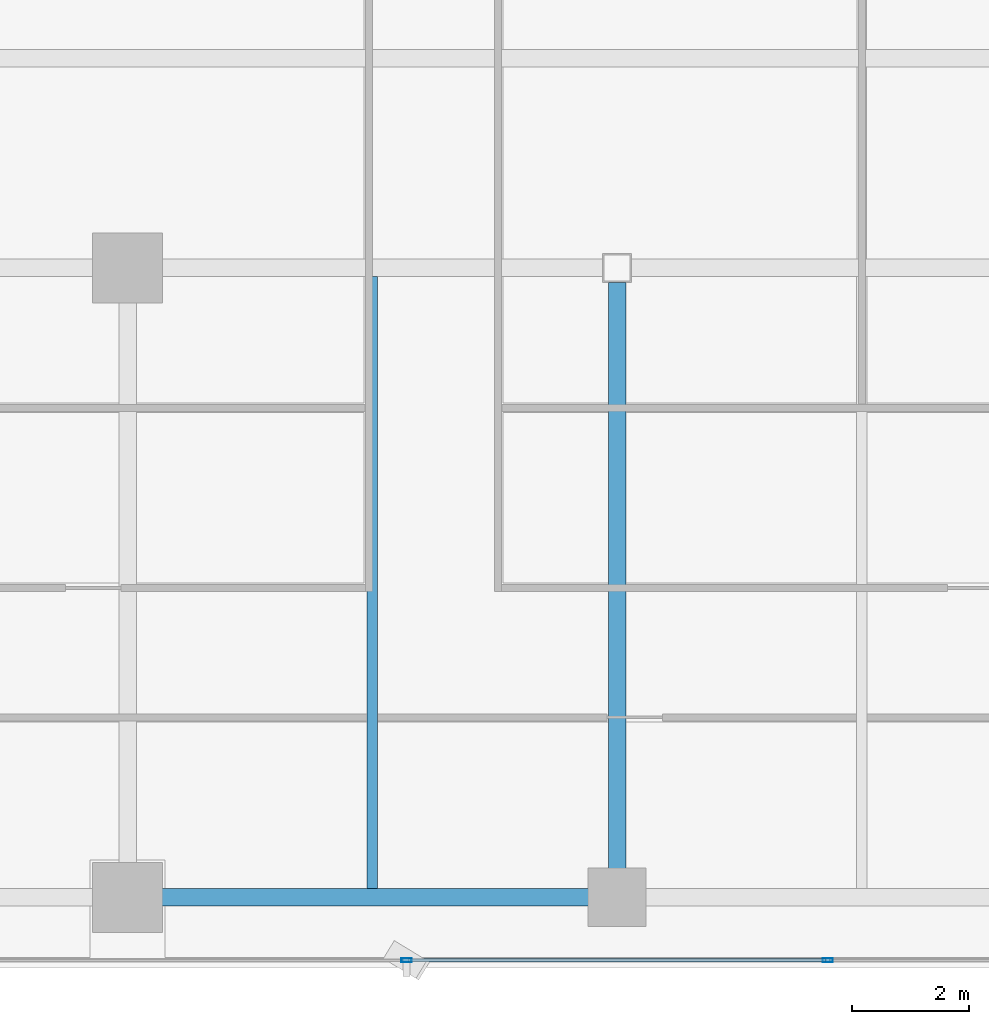
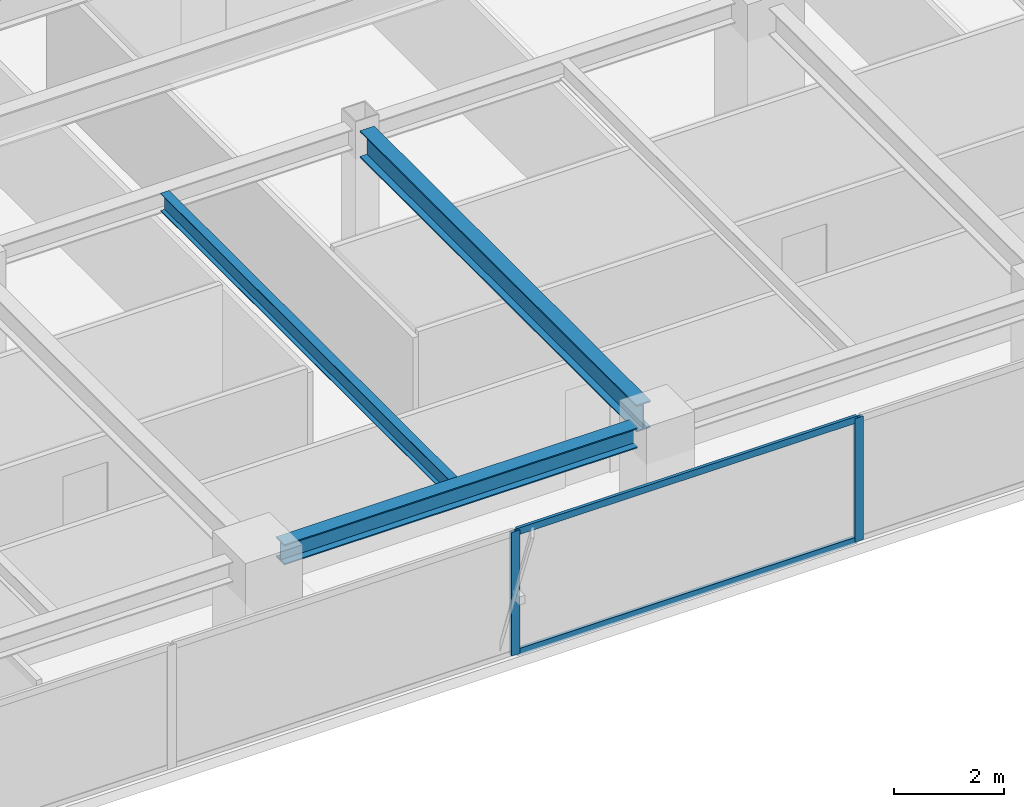
# One storey, part 5 of 23: 4 members, 3 beams, 1 element without a shape of its own.
"""IFC4 building model written with IfcOpenShell, lengths in metres."""

from ifc_helpers import new_model, si_unit, direction, frame, origin, origin_2d, place, context, subcontext, project, spatial, hollow_rectangle, i_section, extrude, source, transform, mapped, material, layer, layer_set, material_profile, profile_set, type_object, element, aggregate, save


model = new_model("IFC4")

# Units and contexts
model_context = context("Model", 3, precision=1e-05, world=origin(), true_north=direction((0.0, 1.0)))
body_context = subcontext(model_context, "Body", "Model", "MODEL_VIEW")
ifc_project = project(units=[si_unit("LENGTHUNIT", "METRE"), si_unit("AREAUNIT", "SQUARE_METRE"), si_unit("VOLUMEUNIT", "CUBIC_METRE"), si_unit("PLANEANGLEUNIT", "RADIAN"), si_unit("MASSUNIT", "GRAM", prefix="KILO")], contexts=[model_context])

# Site, building, storey
site_placement = place(None, origin())
site = spatial("IfcSite", under=ifc_project, at=site_placement, CompositionType="ELEMENT")
building_placement = place(site_placement, origin())
building = spatial("IfcBuilding", under=site, at=building_placement, Name="Sumidabori Civic Tower", CompositionType="ELEMENT")
storey_placement = place(building_placement, frame((0.0, 0.0, 275.60009765625)))
storey = spatial("IfcBuildingStorey", under=building, at=storey_placement, Name="L72", CompositionType="ELEMENT", Elevation=275.60009765625)

# Beams
ifc_material_1 = material(Name="Steel SN490", Category="steel")
ifc_material_profile_1 = material_profile(ifc_material_1, i_section(OverallWidth=0.300048828125, OverallDepth=0.449951171875, WebThickness=0.013916015625, FlangeThickness=0.02587890625, at=origin_2d()), Name="HE 450 B")
ifc_profile_set_1 = profile_set([ifc_material_profile_1], Name="Steel SN490")
beam_type_1 = type_object("IfcBeamType", Name="BM-GIRD-450", PredefinedType="BEAM", material=ifc_profile_set_1)
shared_shape_1 = source(origin(), body_context, "Body", "SweptSolid", [
    extrude(i_section(OverallWidth=0.300048828125, OverallDepth=0.449951171875, WebThickness=0.013916015625, FlangeThickness=0.02587890625, at=origin_2d()), origin(), (0.0, 0.0, 1.0), 7.43994140625),
])
beam_1_placement = place(storey_placement, frame((-7.919921875, -10.800048828125, 3.14501953125), z_axis=(1.0, 0.0, 0.0), x_axis=(0.0, 1.0, 0.0)))
element("IfcBeam", 1, at=beam_1_placement, inside=storey, type_object=beam_type_1, Name="Primary Girder L72 GX-02", PredefinedType="BEAM", context=body_context, shape_type="MappedRepresentation", body=[
    mapped(shared_shape_1, transform((0.0, 0.0, 0.0), x_axis=(1.0, 0.0, 0.0), y_axis=(0.0, 1.0, 0.0), z_axis=(0.0, 0.0, 1.0), scale=1.0)),
])
ifc_material_profile_2 = material_profile(ifc_material_1, i_section(OverallWidth=0.300048828125, OverallDepth=0.60009765625, WebThickness=0.015380859375, FlangeThickness=0.030029296875, at=origin_2d()), Name="HE 600 B")
ifc_profile_set_2 = profile_set([ifc_material_profile_2], Name="Steel SN490")
beam_type_2 = type_object("IfcBeamType", Name="BM-GIRD-600", PredefinedType="BEAM", material=ifc_profile_set_2)
shared_shape_2 = source(origin(), body_context, "Body", "SweptSolid", [
    extrude(i_section(OverallWidth=0.300048828125, OverallDepth=0.60009765625, WebThickness=0.015380859375, FlangeThickness=0.030029296875, at=origin_2d()), origin(), (0.0, 0.0, 1.0), 10.070068359375),
])
beam_2_placement = place(storey_placement, frame((0.0, -10.320068359375, 3.06982421875), z_axis=(0.0, 1.0, 0.0), x_axis=(-1.0, 0.0, 0.0)))
element("IfcBeam", 2, at=beam_2_placement, inside=storey, type_object=beam_type_2, Name="Primary Girder L72 GY-13", PredefinedType="BEAM", context=body_context, shape_type="MappedRepresentation", body=[
    mapped(shared_shape_2, transform((0.0, 0.0, 0.0), x_axis=(1.0, 0.0, 0.0), y_axis=(0.0, 1.0, 0.0), z_axis=(0.0, 0.0, 1.0), scale=1.0)),
])
ifc_material_profile_3 = material_profile(ifc_material_1, i_section(OverallWidth=0.179931640625, OverallDepth=0.39990234375, WebThickness=0.008544921875, FlangeThickness=0.013427734375, at=origin_2d()), Name="IPE 400")
ifc_profile_set_3 = profile_set([ifc_material_profile_3], Name="Steel SN490")
beam_type_3 = type_object("IfcBeamType", Name="BM-JST-400", PredefinedType="JOIST", material=ifc_profile_set_3)
shared_shape_3 = source(origin(), body_context, "Body", "SweptSolid", [
    extrude(i_section(OverallWidth=0.179931640625, OverallDepth=0.39990234375, WebThickness=0.008544921875, FlangeThickness=0.013427734375, at=origin_2d()), origin(), (0.0, 0.0, 1.0), 10.5),
])
beam_3_placement = place(storey_placement, frame((-4.199951171875, -10.64990234375, 3.169921875), z_axis=(0.0, 1.0, 0.0), x_axis=(-1.0, 0.0, 0.0)))
element("IfcBeam", 3, at=beam_3_placement, inside=storey, type_object=beam_type_3, Name="Upper Lens N-S Floor Joist L72 JSTV-25", PredefinedType="JOIST", context=body_context, shape_type="MappedRepresentation", body=[
    mapped(shared_shape_3, transform((0.0, 0.0, 0.0), x_axis=(1.0, 0.0, 0.0), y_axis=(0.0, 1.0, 0.0), z_axis=(0.0, 0.0, 1.0), scale=1.0)),
])

# Curtain wall, members
ifc_material_2 = material(Name="Anodised Bronze Aluminium AW-6063-T6", Category="aluminium")
ifc_layer = layer(ifc_material_2, 0.179931640625, Name="Anodised Bronze Aluminium AW-6063-T6")
ifc_layer_set = layer_set([ifc_layer], Name="Anodised Bronze Aluminium AW-6063-T6")
curtain_wall_type = type_object("IfcCurtainWallType", Name="CW-SYS-6", PredefinedType="NOTDEFINED", material=ifc_layer_set)
curtain_wall_placement = place(storey_placement, origin())
curtain_wall = element("IfcCurtainWall", 4, at=curtain_wall_placement, inside=storey, type_object=curtain_wall_type, Name="Curtain Wall CW:L72:R01", PredefinedType="NOTDEFINED")
ifc_material_profile_4 = material_profile(ifc_material_2, hollow_rectangle(XDim=0.070068359375, YDim=0.179931640625, WallThickness=0.006103515625, at=origin_2d()), Name="ALU MULLION 180x70")
ifc_profile_set_4 = profile_set([ifc_material_profile_4], Name="Anodised Bronze Aluminium AW-6063-T6")
member_type_1 = type_object("IfcMemberType", Name="CW-MUL-180", PredefinedType="MULLION", material=ifc_profile_set_4)
shared_shape_4 = source(origin(), body_context, "Body", "SweptSolid", [
    extrude(hollow_rectangle(XDim=0.070068359375, YDim=0.179931640625, WallThickness=0.006103515625, at=origin_2d()), origin(), (0.0, 0.0, 1.0), 2.75),
])
member_1_placement = place(storey_placement, frame((-3.614013671875, -11.8798828125, 0.0), z_axis=(0.0, 0.0, 1.0), x_axis=(0.0, 1.0, 0.0)))
member_1 = element("IfcMember", 5, at=member_1_placement, type_object=member_type_1, Name="CW-6 mullion 3", PredefinedType="MULLION", context=body_context, shape_type="MappedRepresentation", body=[
    mapped(shared_shape_4, transform((0.0, 0.0, 0.0), x_axis=(1.0, 0.0, 0.0), y_axis=(0.0, 1.0, 0.0), z_axis=(0.0, 0.0, 1.0), scale=1.0)),
])
member_2_placement = place(storey_placement, frame((3.614013671875, -11.8798828125, 0.0), z_axis=(0.0, 0.0, 1.0), x_axis=(0.0, 1.0, 0.0)))
member_2 = element("IfcMember", 6, at=member_2_placement, type_object=member_type_1, Name="CW-6 mullion 4", PredefinedType="MULLION", context=body_context, shape_type="MappedRepresentation", body=[
    mapped(shared_shape_4, transform((0.0, 0.0, 0.0), x_axis=(1.0, 0.0, 0.0), y_axis=(0.0, 1.0, 0.0), z_axis=(0.0, 0.0, 1.0), scale=1.0)),
])
ifc_material_profile_5 = material_profile(ifc_material_2, hollow_rectangle(XDim=0.06494140625, YDim=0.14990234375, WallThickness=0.0048828125, at=origin_2d()), Name="ALU TRANSOM 150x65")
ifc_profile_set_5 = profile_set([ifc_material_profile_5], Name="Anodised Bronze Aluminium AW-6063-T6")
member_type_2 = type_object("IfcMemberType", Name="CW-TRN-150", PredefinedType="USERDEFINED", material=ifc_profile_set_5)
shared_shape_5 = source(origin(), body_context, "Body", "SweptSolid", [
    extrude(hollow_rectangle(XDim=0.06494140625, YDim=0.14990234375, WallThickness=0.0048828125, at=origin_2d()), origin(), (0.0, 0.0, 1.0), 7.158203125),
])
member_3_placement = place(storey_placement, frame((-3.5791015625, -11.8798828125, 0.032470703125), z_axis=(1.0, 0.0, 0.0), x_axis=(0.0, 1.0, 0.0)))
member_3 = element("IfcMember", 7, at=member_3_placement, type_object=member_type_2, Name="CW-6 transom 3.1", ObjectType="TRANSOM", PredefinedType="USERDEFINED", context=body_context, shape_type="MappedRepresentation", body=[
    mapped(shared_shape_5, transform((0.0, 0.0, 0.0), x_axis=(1.0, 0.0, 0.0), y_axis=(0.0, 1.0, 0.0), z_axis=(0.0, 0.0, 1.0), scale=1.0)),
])
member_4_placement = place(storey_placement, frame((-3.5791015625, -11.8798828125, 2.71728515625), z_axis=(1.0, 0.0, 0.0), x_axis=(0.0, 1.0, 0.0)))
member_4 = element("IfcMember", 8, at=member_4_placement, type_object=member_type_2, Name="CW-6 transom 3.2", ObjectType="TRANSOM", PredefinedType="USERDEFINED", context=body_context, shape_type="MappedRepresentation", body=[
    mapped(shared_shape_5, transform((0.0, 0.0, 0.0), x_axis=(1.0, 0.0, 0.0), y_axis=(0.0, 1.0, 0.0), z_axis=(0.0, 0.0, 1.0), scale=1.0)),
])
aggregate(curtain_wall, [member_1, member_2, member_3, member_4])

save(model, "model.ifc")
